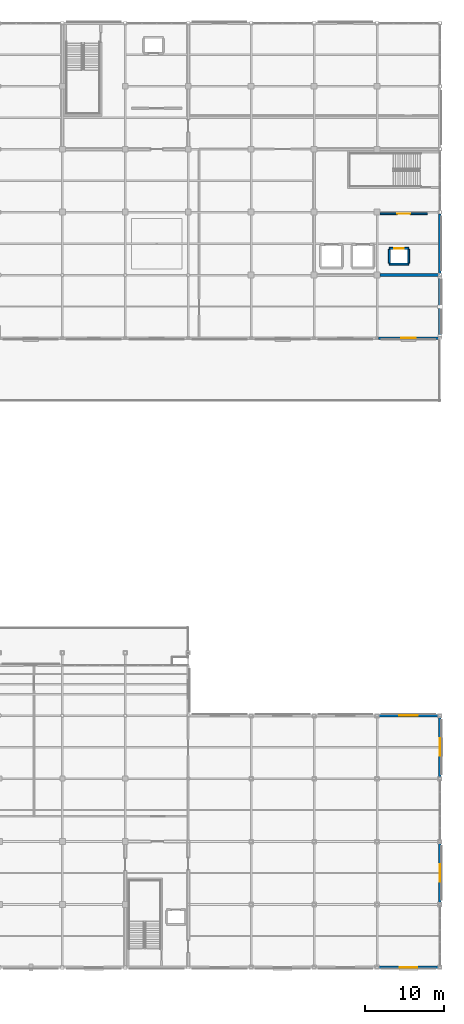
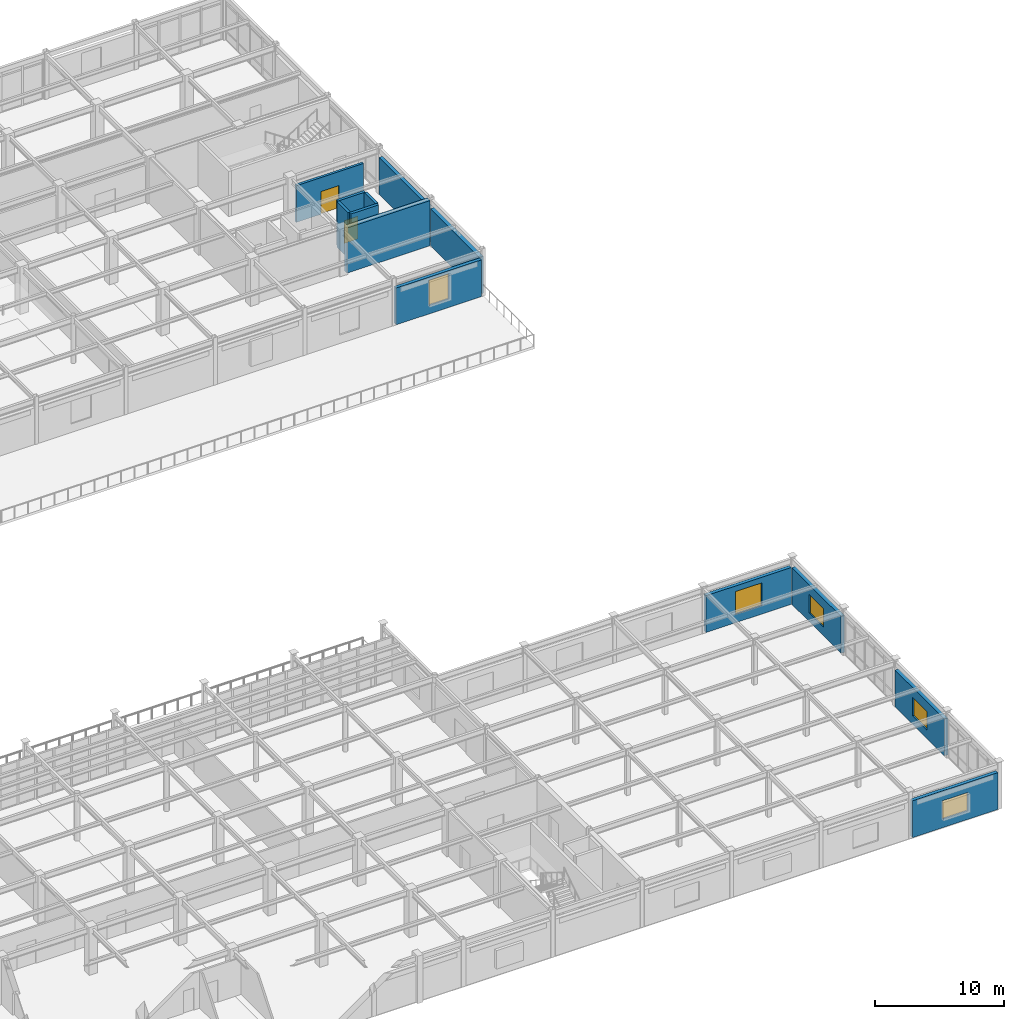
# One storey, part 90 of 111: 13 walls, 5 windows, 2 doors, 7 openings.
"""IFC4 building model written with IfcOpenShell, lengths in metres."""

from ifc_helpers import new_model, si_unit, direction, frame, frame_2d, origin, place, context, subcontext, project, spatial, rectangle, extrude, material, layer, layer_set, type_object, element, fill, save


model = new_model("IFC4")

# Units and contexts
model_context = context("Model", 3, precision=1e-05, world=origin(), true_north=direction((0.0, 1.0)))
body_context = subcontext(model_context, "Body", "Model", "MODEL_VIEW")
ifc_project = project(units=[si_unit("LENGTHUNIT", "METRE"), si_unit("AREAUNIT", "SQUARE_METRE"), si_unit("VOLUMEUNIT", "CUBIC_METRE"), si_unit("PLANEANGLEUNIT", "RADIAN"), si_unit("MASSUNIT", "GRAM", prefix="KILO")], contexts=[model_context])

# Site, building, storey
site_placement = place(None, origin())
site = spatial("IfcSite", under=ifc_project, at=site_placement, CompositionType="ELEMENT")
building_placement = place(site_placement, origin())
building = spatial("IfcBuilding", under=site, at=building_placement, Name="Solmirada Galleria", CompositionType="ELEMENT")
storey_placement = place(building_placement, frame((0.0, 0.0, 10.39990234375)))
storey = spatial("IfcBuildingStorey", under=building, at=storey_placement, Name="L02", CompositionType="ELEMENT", Elevation=10.39990234375)

# Wall
ifc_material_1 = material(Name="Concrete C40/50", Category="concrete")
ifc_layer_1 = layer(ifc_material_1, 0.419921875)
ifc_layer_set_1 = layer_set([ifc_layer_1], Name="Concrete C40/50")
wall_type_1 = type_object("IfcWallType", Name="WL-CORE-420", PredefinedType="SHEAR", material=ifc_layer_set_1)
wall_1_placement = place(storey_placement, frame((168.375, 88.0, 0.0), z_axis=(0.0, 0.0, 1.0), x_axis=(1.0, 0.0, 0.0)))
element("IfcWall", 1, at=wall_1_placement, inside=storey, type_object=wall_type_1, Name="Core C4 shear wall L02 S2", PredefinedType="SHEAR", context=body_context, shape_type="SweptSolid", body=[
    extrude(rectangle(XDim=7.422119140625, YDim=0.419921875, at=frame_2d((3.7109375, 0.0))), origin(), (0.0, 0.0, 1.0), 4.280029296875),
])

# Wall, opening, window
ifc_material_2 = material(Name="Precast concrete C40/50", Category="concrete")
ifc_layer_2 = layer(ifc_material_2, 0.31005859375)
ifc_layer_set_2 = layer_set([ifc_layer_2], Name="Precast concrete C40/50")
wall_type_2 = type_object("IfcWallType", Name="WL-EXT-310", PredefinedType="STANDARD", material=ifc_layer_set_2)
wall_2_placement = place(storey_placement, frame((175.822021484375, 0.0, 0.0), z_axis=(0.0, 0.0, 1.0), x_axis=(-1.0, 0.0, 0.0)))
wall_2 = element("IfcWall", 2, at=wall_2_placement, inside=storey, type_object=wall_type_2, Name="Exterior wall L02 bay 001", PredefinedType="STANDARD", context=body_context, shape_type="SweptSolid", body=[
    extrude(rectangle(XDim=7.64404296875, YDim=0.31005859375, at=frame_2d((3.822021484375, 0.0))), origin(), (0.0, 0.0, 1.0), 3.47998046875),
])
opening_1_placement = place(wall_2_placement, frame((2.697021484375, 0.0, 0.800048828125)))
opening_1 = element("IfcOpeningElement", 3, at=opening_1_placement, cuts=wall_2, Name="Opening WN9", PredefinedType="OPENING", context=body_context, shape_type="SweptSolid", body=[
    extrude(rectangle(XDim=2.25, YDim=1.75, at=frame_2d((1.125, 0.875))), frame((0.0, 0.1650390625, 0.0), z_axis=(0.0, -1.0, 0.0), x_axis=(1.0, 0.0, 0.0)), (0.0, 0.0, 1.0), 0.330078125),
])
ifc_material_3 = material(Name="Impact-resistant low-E double glazing", Category="glass")
window_type_1 = type_object("IfcWindowType", Name="WIN-LOG-225X175", PartitioningType="DOUBLE_PANEL_VERTICAL", PredefinedType="WINDOW", material=ifc_material_3)
window_1_placement = place(opening_1_placement, origin())
window_1 = element("IfcWindow", 4, at=window_1_placement, inside=storey, type_object=window_type_1, Name="Window L02-034", OverallHeight=1.75, OverallWidth=2.25, PartitioningType="DOUBLE_PANEL_VERTICAL", PredefinedType="WINDOW", context=body_context, shape_type="SweptSolid", body=[
    extrude(rectangle(XDim=2.25, YDim=1.75, at=frame_2d((1.125, 0.875))), frame((0.0, 0.030029296875, 0.0), z_axis=(0.0, -1.0, 0.0), x_axis=(1.0, 0.0, 0.0)), (0.0, 0.0, 1.0), 0.06005859375),
])
fill(opening_1, window_1)

# Wall
wall_3_placement = place(storey_placement, frame((176.0, 95.797119140625, 0.0), z_axis=(0.0, 0.0, 1.0), x_axis=(0.0, -1.0, 0.0)))
element("IfcWall", 5, at=wall_3_placement, inside=storey, type_object=wall_type_2, Name="Exterior wall L02 bay 059", PredefinedType="STANDARD", context=body_context, shape_type="SweptSolid", body=[
    extrude(rectangle(XDim=7.59423828125, YDim=0.31005859375, at=frame_2d((3.797119140625, 0.0))), origin(), (0.0, 0.0, 1.0), 3.47998046875),
])

# Wall, opening, window
wall_4_placement = place(storey_placement, frame((175.822021484375, 80.0, 0.0), z_axis=(0.0, 0.0, 1.0), x_axis=(-1.0, 0.0, 0.0)))
wall_4 = element("IfcWall", 6, at=wall_4_placement, inside=storey, type_object=wall_type_2, Name="Exterior wall L02 bay 061", PredefinedType="STANDARD", context=body_context, shape_type="SweptSolid", body=[
    extrude(rectangle(XDim=7.64404296875, YDim=0.31005859375, at=frame_2d((3.822021484375, 0.0))), origin(), (0.0, 0.0, 1.0), 3.47998046875),
])
opening_2_placement = place(wall_4_placement, frame((2.922119140625, 0.0, 0.800048828125)))
opening_2 = element("IfcOpeningElement", 7, at=opening_2_placement, cuts=wall_4, Name="Opening WN25", PredefinedType="OPENING", context=body_context, shape_type="SweptSolid", body=[
    extrude(rectangle(XDim=1.800048828125, YDim=2.39990234375, at=frame_2d((0.89990234375, 1.199951171875))), frame((0.0, 0.1650390625, 0.0), z_axis=(0.0, -1.0, 0.0), x_axis=(1.0, 0.0, 0.0)), (0.0, 0.0, 1.0), 0.330078125),
])
window_type_2 = type_object("IfcWindowType", Name="WIN-ARCH-180X240", PartitioningType="DOUBLE_PANEL_HORIZONTAL", PredefinedType="WINDOW", material=ifc_material_3)
window_2_placement = place(opening_2_placement, origin())
window_2 = element("IfcWindow", 8, at=window_2_placement, inside=storey, type_object=window_type_2, Name="Window L02-054", OverallHeight=2.39990234375, OverallWidth=1.800048828125, PartitioningType="DOUBLE_PANEL_HORIZONTAL", PredefinedType="WINDOW", context=body_context, shape_type="SweptSolid", body=[
    extrude(rectangle(XDim=1.800048828125, YDim=2.39990234375, at=frame_2d((0.89990234375, 1.199951171875))), frame((0.0, 0.030029296875, 0.0), z_axis=(0.0, -1.0, 0.0), x_axis=(1.0, 0.0, 0.0)), (0.0, 0.0, 1.0), 0.06005859375),
])
fill(opening_2, window_2)

wall_5_placement = place(storey_placement, frame((168.177978515625, 32.0, 0.0), z_axis=(0.0, 0.0, 1.0), x_axis=(1.0, 0.0, 0.0)))
wall_5 = element("IfcWall", 9, at=wall_5_placement, inside=storey, type_object=wall_type_2, Name="Exterior wall L02 bay 093", PredefinedType="STANDARD", context=body_context, shape_type="SweptSolid", body=[
    extrude(rectangle(XDim=7.64404296875, YDim=0.31005859375, at=frame_2d((3.822021484375, 0.0))), origin(), (0.0, 0.0, 1.0), 3.47998046875),
])
opening_3_placement = place(wall_5_placement, frame((2.64697265625, 0.0, 0.800048828125)))
opening_3 = element("IfcOpeningElement", 10, at=opening_3_placement, cuts=wall_5, Name="Opening WN2", PredefinedType="OPENING", context=body_context, shape_type="SweptSolid", body=[
    extrude(rectangle(XDim=2.35009765625, YDim=2.14990234375, at=frame_2d((1.175048828125, 1.074951171875))), frame((0.0, 0.1650390625, 0.0), z_axis=(0.0, -1.0, 0.0), x_axis=(1.0, 0.0, 0.0)), (0.0, 0.0, 1.0), 0.330078125),
])
window_type_3 = type_object("IfcWindowType", Name="WIN-AVE-235X215", PartitioningType="DOUBLE_PANEL_VERTICAL", PredefinedType="WINDOW", material=ifc_material_3)
window_3_placement = place(opening_3_placement, origin())
window_3 = element("IfcWindow", 11, at=window_3_placement, inside=storey, type_object=window_type_3, Name="Window L02-065", OverallHeight=2.14990234375, OverallWidth=2.35009765625, PartitioningType="DOUBLE_PANEL_VERTICAL", PredefinedType="WINDOW", context=body_context, shape_type="SweptSolid", body=[
    extrude(rectangle(XDim=2.35009765625, YDim=2.14990234375, at=frame_2d((1.175048828125, 1.074951171875))), frame((0.0, 0.030029296875, 0.0), z_axis=(0.0, -1.0, 0.0), x_axis=(1.0, 0.0, 0.0)), (0.0, 0.0, 1.0), 0.06005859375),
])
fill(opening_3, window_3)

wall_6_placement = place(storey_placement, frame((176.0, 31.822021484375, 0.0), z_axis=(0.0, 0.0, 1.0), x_axis=(0.0, -1.0, 0.0)))
wall_6 = element("IfcWall", 12, at=wall_6_placement, inside=storey, type_object=wall_type_2, Name="Exterior wall L02 bay 094", PredefinedType="STANDARD", context=body_context, shape_type="SweptSolid", body=[
    extrude(rectangle(XDim=7.64404296875, YDim=0.31005859375, at=frame_2d((3.822021484375, 0.0))), origin(), (0.0, 0.0, 1.0), 3.47998046875),
])
opening_4_placement = place(wall_6_placement, frame((2.697021484375, 0.0, 0.800048828125)))
opening_4 = element("IfcOpeningElement", 13, at=opening_4_placement, cuts=wall_6, Name="Opening WN9", PredefinedType="OPENING", context=body_context, shape_type="SweptSolid", body=[
    extrude(rectangle(XDim=2.25, YDim=1.75, at=frame_2d((1.125, 0.875))), frame((0.0, 0.1650390625, 0.0), z_axis=(0.0, -1.0, 0.0), x_axis=(1.0, 0.0, 0.0)), (0.0, 0.0, 1.0), 0.330078125),
])
window_4_placement = place(opening_4_placement, origin())
window_4 = element("IfcWindow", 14, at=window_4_placement, inside=storey, type_object=window_type_1, Name="Window L02-066", OverallHeight=1.75, OverallWidth=2.25, PartitioningType="DOUBLE_PANEL_VERTICAL", PredefinedType="WINDOW", context=body_context, shape_type="SweptSolid", body=[
    extrude(rectangle(XDim=2.25, YDim=1.75, at=frame_2d((1.125, 0.875))), frame((0.0, 0.030029296875, 0.0), z_axis=(0.0, -1.0, 0.0), x_axis=(1.0, 0.0, 0.0)), (0.0, 0.0, 1.0), 0.06005859375),
])
fill(opening_4, window_4)

wall_7_placement = place(storey_placement, frame((176.0, 15.822021484375, 0.0), z_axis=(0.0, 0.0, 1.0), x_axis=(0.0, -1.0, 0.0)))
wall_7 = element("IfcWall", 15, at=wall_7_placement, inside=storey, type_object=wall_type_2, Name="Exterior wall L02 bay 096", PredefinedType="STANDARD", context=body_context, shape_type="SweptSolid", body=[
    extrude(rectangle(XDim=7.64404296875, YDim=0.31005859375, at=frame_2d((3.822021484375, 0.0))), origin(), (0.0, 0.0, 1.0), 3.47998046875),
])
opening_5_placement = place(wall_7_placement, frame((2.697021484375, 0.0, 0.800048828125)))
opening_5 = element("IfcOpeningElement", 16, at=opening_5_placement, cuts=wall_7, Name="Opening WN9", PredefinedType="OPENING", context=body_context, shape_type="SweptSolid", body=[
    extrude(rectangle(XDim=2.25, YDim=1.75, at=frame_2d((1.125, 0.875))), frame((0.0, 0.1650390625, 0.0), z_axis=(0.0, -1.0, 0.0), x_axis=(1.0, 0.0, 0.0)), (0.0, 0.0, 1.0), 0.330078125),
])
window_5_placement = place(opening_5_placement, origin())
window_5 = element("IfcWindow", 17, at=window_5_placement, inside=storey, type_object=window_type_1, Name="Window L02-067", OverallHeight=1.75, OverallWidth=2.25, PartitioningType="DOUBLE_PANEL_VERTICAL", PredefinedType="WINDOW", context=body_context, shape_type="SweptSolid", body=[
    extrude(rectangle(XDim=2.25, YDim=1.75, at=frame_2d((1.125, 0.875))), frame((0.0, 0.030029296875, 0.0), z_axis=(0.0, -1.0, 0.0), x_axis=(1.0, 0.0, 0.0)), (0.0, 0.0, 1.0), 0.06005859375),
])
fill(opening_5, window_5)

# Wall, opening, door
ifc_layer_3 = layer(ifc_material_1, 0.239990234375)
ifc_layer_set_3 = layer_set([ifc_layer_3], Name="Concrete C40/50")
wall_type_3 = type_object("IfcWallType", Name="WL-HOIST-240", PredefinedType="PARTITIONING", material=ifc_layer_set_3)
wall_8_placement = place(storey_placement, frame((169.570068359375, 91.405029296875, 0.0), z_axis=(0.0, 0.0, 1.0), x_axis=(1.0, 0.0, 0.0)))
wall_8 = element("IfcWall", 18, at=wall_8_placement, inside=storey, type_object=wall_type_3, Name="Lift FL2 hoistway front wall L02", PredefinedType="PARTITIONING", context=body_context, shape_type="SweptSolid", body=[
    extrude(rectangle(XDim=2.4599609375, YDim=0.239990234375, at=frame_2d((1.22998046875, 0.0))), origin(), (0.0, 0.0, 1.0), 4.280029296875),
])
opening_6_placement = place(wall_8_placement, frame((0.6298828125, 0.0, 0.0)))
opening_6 = element("IfcOpeningElement", 19, at=opening_6_placement, cuts=wall_8, Name="Opening LD-FL2-L02", PredefinedType="OPENING", context=body_context, shape_type="SweptSolid", body=[
    extrude(rectangle(XDim=1.199951171875, YDim=2.14990234375, at=frame_2d((0.60009765625, 1.074951171875))), frame((0.0, 0.1298828125, 0.0), z_axis=(0.0, -1.0, 0.0), x_axis=(1.0, 0.0, 0.0)), (0.0, 0.0, 1.0), 0.260009765625),
])
ifc_material_4 = material(Name="Brushed stainless-steel sliding landing door", Category="steel")
door_type_1 = type_object("IfcDoorType", Name="DR-LIFT-120X215", OperationType="SLIDING_TO_LEFT", PredefinedType="DOOR", material=ifc_material_4)
door_1_placement = place(opening_6_placement, origin())
door_1 = element("IfcDoor", 20, at=door_1_placement, inside=storey, type_object=door_type_1, Name="Lift FL2 sliding landing door L02", OperationType="SLIDING_TO_LEFT", OverallHeight=2.14990234375, OverallWidth=1.199951171875, PredefinedType="DOOR", context=body_context, shape_type="SweptSolid", body=[
    extrude(rectangle(XDim=1.199951171875, YDim=2.14990234375, at=frame_2d((0.60009765625, 1.074951171875))), frame((0.0, 0.02490234375, 0.0), z_axis=(0.0, -1.0, 0.0), x_axis=(1.0, 0.0, 0.0)), (0.0, 0.0, 1.0), 0.050048828125),
])
fill(opening_6, door_1)

# Walls
wall_9_placement = place(storey_placement, frame((169.570068359375, 89.39501953125, 0.0), z_axis=(0.0, 0.0, 1.0), x_axis=(1.0, 0.0, 0.0)))
element("IfcWall", 21, at=wall_9_placement, inside=storey, type_object=wall_type_3, Name="Lift FL2 hoistway rear wall L02", PredefinedType="PARTITIONING", context=body_context, shape_type="SweptSolid", body=[
    extrude(rectangle(XDim=2.4599609375, YDim=0.239990234375, at=frame_2d((1.22998046875, 0.0))), origin(), (0.0, 0.0, 1.0), 4.280029296875),
])
for number, where, z_axis, x_axis, name in (
    (22, (169.570068359375, 89.534912109375, 0.0), (0.0, 0.0, 1.0), (0.0, 1.0, 0.0), "Lift FL2 hoistway side wall L L02"),
    (23, (172.030029296875, 89.534912109375, 0.0), (0.0, 0.0, 1.0), (0.0, 1.0, 0.0), "Lift FL2 hoistway side wall R L02"),
):
    element("IfcWall", number, at=place(storey_placement, frame(where, z_axis=z_axis, x_axis=x_axis)), inside=storey, type_object=wall_type_3, Name=name, PredefinedType="PARTITIONING", context=body_context, shape_type="SweptSolid", body=[
        extrude(rectangle(XDim=1.72998046875, YDim=0.239990234375, at=frame_2d((0.864990234375, 0.0))), origin(), (0.0, 0.0, 1.0), 4.280029296875),
    ])

# Wall, opening, door
ifc_material_5 = material(Name="Fire-rated gypsum and steel-stud partition", Category="steel")
ifc_layer_4 = layer(ifc_material_5, 0.219970703125)
ifc_layer_set_4 = layer_set([ifc_layer_4], Name="Fire-rated gypsum and steel-stud partition")
wall_type_4 = type_object("IfcWallType", Name="WL-PART-220", PredefinedType="PARTITIONING", material=ifc_layer_set_4)
wall_10_placement = place(storey_placement, frame((168.39990234375, 95.800048828125, 0.0), z_axis=(0.0, 0.0, 1.0), x_axis=(1.0, 0.0, 0.0)))
wall_10 = element("IfcWall", 24, at=wall_10_placement, inside=storey, type_object=wall_type_4, Name="Firefighting lift lobby C4 smoke barrier L02", PredefinedType="PARTITIONING", context=body_context, shape_type="SweptSolid", body=[
    extrude(rectangle(XDim=6.0, YDim=0.219970703125, at=frame_2d((3.0, 0.0))), origin(), (0.0, 0.0, 1.0), 3.47998046875),
])
opening_7_placement = place(wall_10_placement, frame((2.199951171875, 0.0, 0.0)))
opening_7 = element("IfcOpeningElement", 25, at=opening_7_placement, cuts=wall_10, Name="Opening FD-212", PredefinedType="OPENING", context=body_context, shape_type="SweptSolid", body=[
    extrude(rectangle(XDim=1.60009765625, YDim=2.14990234375, at=frame_2d((0.800048828125, 1.074951171875))), frame((0.0, 0.119873046875, 0.0), z_axis=(0.0, -1.0, 0.0), x_axis=(1.0, 0.0, 0.0)), (0.0, 0.0, 1.0), 0.239990234375),
])
ifc_material_6 = material(Name="Fire-rated painted steel door assembly", Category="steel")
door_type_2 = type_object("IfcDoorType", Name="DR-FFLOB-160X215", OperationType="DOUBLE_DOOR_SINGLE_SWING", PredefinedType="DOOR", material=ifc_material_6)
door_2_placement = place(opening_7_placement, origin())
door_2 = element("IfcDoor", 26, at=door_2_placement, inside=storey, type_object=door_type_2, Name="Firefighting lift lobby internal door FD-212", OperationType="DOUBLE_DOOR_SINGLE_SWING", OverallHeight=2.14990234375, OverallWidth=1.60009765625, PredefinedType="DOOR", context=body_context, shape_type="SweptSolid", body=[
    extrude(rectangle(XDim=1.60009765625, YDim=2.14990234375, at=frame_2d((0.800048828125, 1.074951171875))), frame((0.0, 0.02490234375, 0.0), z_axis=(0.0, -1.0, 0.0), x_axis=(1.0, 0.0, 0.0)), (0.0, 0.0, 1.0), 0.050048828125),
])
fill(opening_7, door_2)

# Wall
ifc_material_7 = material(Name="Architectural concrete masonry C30/37", Category="masonry")
ifc_layer_5 = layer(ifc_material_7, 0.360107421875)
ifc_layer_set_5 = layer_set([ifc_layer_5], Name="Architectural concrete masonry C30/37")
wall_type_5 = type_object("IfcWallType", Name="WL-SOLID-360", PredefinedType="SOLIDWALL", material=ifc_layer_set_5)
wall_11_placement = place(storey_placement, frame((176.0, 87.797119140625, 0.0), z_axis=(0.0, 0.0, 1.0), x_axis=(0.0, -1.0, 0.0)))
element("IfcWall", 27, at=wall_11_placement, inside=storey, type_object=wall_type_5, Name="Exterior wall L02 bay 060", PredefinedType="SOLIDWALL", context=body_context, shape_type="SweptSolid", body=[
    extrude(rectangle(XDim=7.619140625, YDim=0.360107421875, at=frame_2d((3.8095703125, 0.0))), origin(), (0.0, 0.0, 1.0), 3.47998046875),
])

save(model, "model.ifc")
